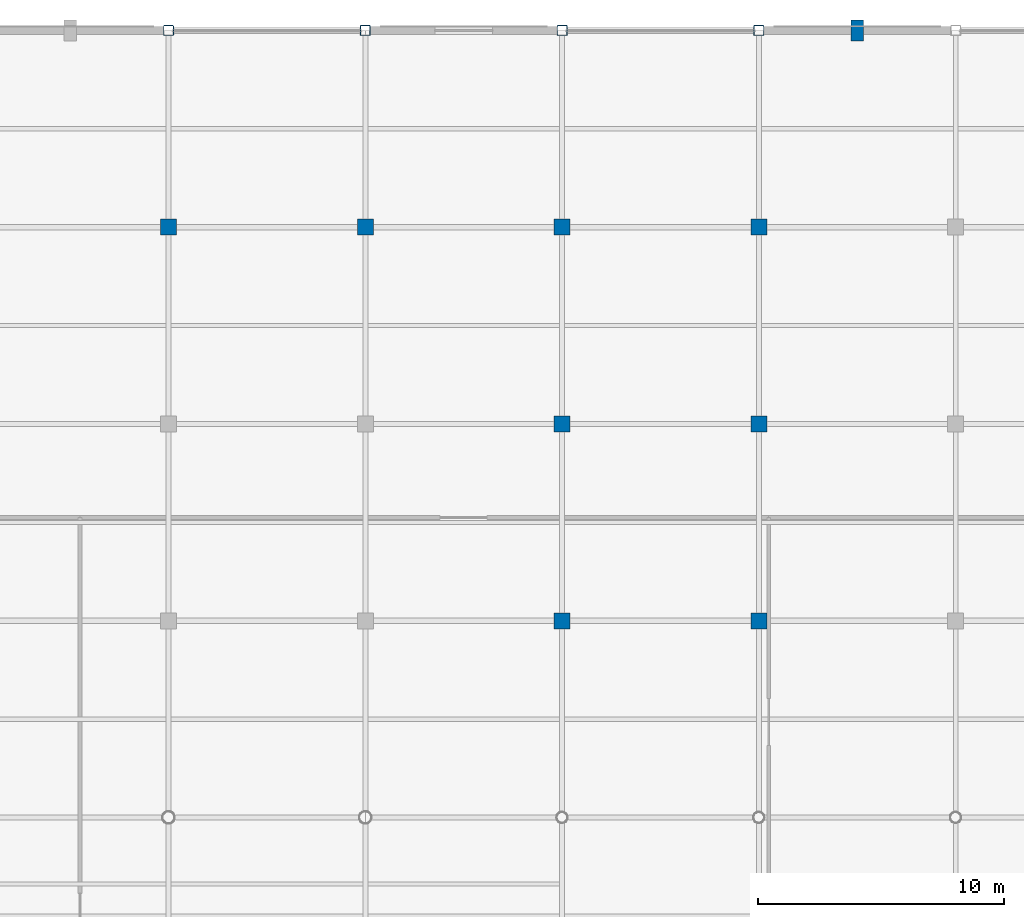
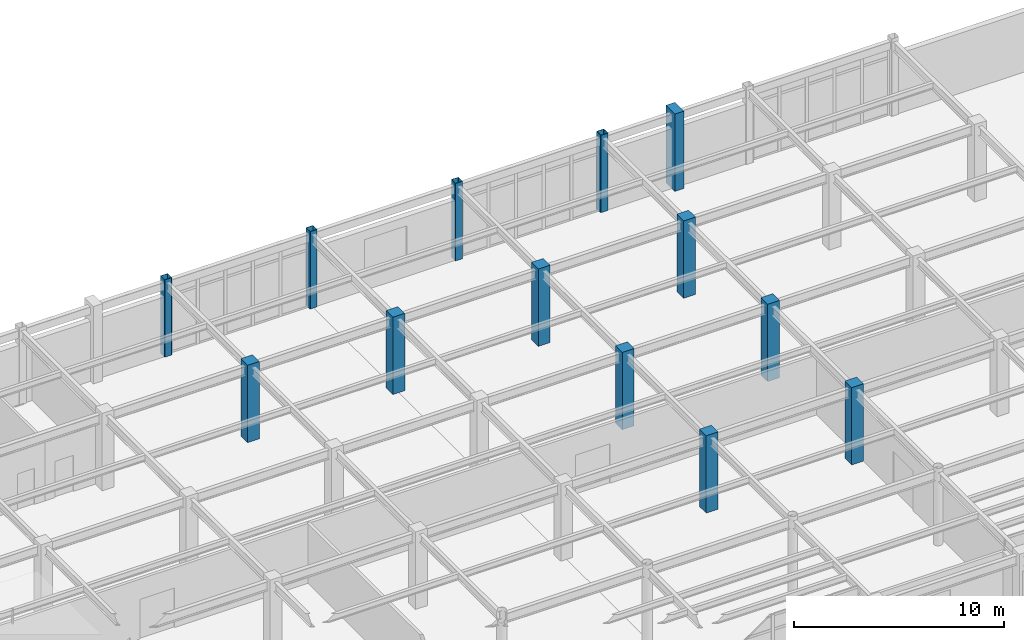
# One storey, part 11 of 111: 13 columns.
"""IFC4 building model written with IfcOpenShell, lengths in metres."""

from ifc_helpers import new_model, si_unit, direction, frame, origin, origin_2d, place, context, subcontext, project, spatial, rectangle, hollow_rectangle, extrude, material, material_profile, profile_set, type_object, element, save


model = new_model("IFC4")

# Units and contexts
model_context = context("Model", 3, precision=1e-05, world=origin(), true_north=direction((0.0, 1.0)))
body_context = subcontext(model_context, "Body", "Model", "MODEL_VIEW")
ifc_project = project(units=[si_unit("LENGTHUNIT", "METRE"), si_unit("AREAUNIT", "SQUARE_METRE"), si_unit("VOLUMEUNIT", "CUBIC_METRE"), si_unit("PLANEANGLEUNIT", "RADIAN"), si_unit("MASSUNIT", "GRAM", prefix="KILO")], contexts=[model_context])

# Site, building, storey
site_placement = place(None, origin())
site = spatial("IfcSite", under=ifc_project, at=site_placement, CompositionType="ELEMENT")
building_placement = place(site_placement, origin())
building = spatial("IfcBuilding", under=site, at=building_placement, Name="Solmirada Galleria", CompositionType="ELEMENT")
storey_placement = place(building_placement, frame((0.0, 0.0, 10.39990234375)))
storey = spatial("IfcBuildingStorey", under=building, at=storey_placement, Name="L02", CompositionType="ELEMENT", Elevation=10.39990234375)

# Columns
ifc_material_1 = material(Name="Steel S355 / ASTM A500 Grade C", Category="steel")
ifc_material_profile_1 = material_profile(ifc_material_1, hollow_rectangle(XDim=0.406005859375, YDim=0.406005859375, WallThickness=0.0146484375, InnerFilletRadius=0.0146484375, OuterFilletRadius=0.029296875, at=origin_2d()), Name="HSS16X16X5/8")
ifc_profile_set_1 = profile_set([ifc_material_profile_1], Name="Steel S355 / ASTM A500 Grade C")
column_type_1 = type_object("IfcColumnType", Name="COL-HSS16", PredefinedType="COLUMN", material=ifc_profile_set_1)
for number, where, z_axis, x_axis, name in (
    (1, (72.0, 120.0, 0.0), (0.0, 0.0, 1.0), (1.0, 0.0, 0.0), "Structural column L02-0341"),
    (2, (80.0, 120.0, 0.0), (0.0, 0.0, 1.0), (1.0, 0.0, 0.0), "Structural column L02-0458"),
    (3, (88.0, 120.0, 0.0), (0.0, 0.0, 1.0), (1.0, 0.0, 0.0), "Structural column L02-0580"),
    (4, (96.0, 120.0, 0.0), (0.0, 0.0, 1.0), (1.0, 0.0, 0.0), "Structural column L02-0688"),
):
    element("IfcColumn", number, at=place(storey_placement, frame(where, z_axis=z_axis, x_axis=x_axis)), inside=storey, type_object=column_type_1, Name=name, PredefinedType="COLUMN", context=body_context, shape_type="SweptSolid", body=[
        extrude(hollow_rectangle(XDim=0.406005859375, YDim=0.406005859375, WallThickness=0.0146484375, InnerFilletRadius=0.0146484375, OuterFilletRadius=0.029296875, at=origin_2d()), origin(), (0.0, 0.0, 1.0), 4.5),
    ])
ifc_material_2 = material(Name="Concrete C40/50", Category="concrete")
ifc_material_profile_2 = material_profile(ifc_material_2, rectangle(XDim=0.64990234375, YDim=0.64990234375, at=origin_2d()), Name="RC650X650")
ifc_profile_set_2 = profile_set([ifc_material_profile_2], Name="Concrete C40/50")
column_type_2 = type_object("IfcColumnType", Name="COL-RC650", PredefinedType="COLUMN", material=ifc_profile_set_2)
for number, where, z_axis, x_axis, name in (
    (5, (72.0, 112.0, 0.0), (0.0, 0.0, 1.0), (1.0, 0.0, 0.0), "Structural column L02-0334"),
    (6, (80.0, 112.0, 0.0), (0.0, 0.0, 1.0), (1.0, 0.0, 0.0), "Structural column L02-0451"),
    (7, (88.0, 96.0, 0.0), (0.0, 0.0, 1.0), (1.0, 0.0, 0.0), "Structural column L02-0559"),
    (8, (88.0, 104.0, 0.0), (0.0, 0.0, 1.0), (1.0, 0.0, 0.0), "Structural column L02-0566"),
    (9, (88.0, 112.0, 0.0), (0.0, 0.0, 1.0), (1.0, 0.0, 0.0), "Structural column L02-0573"),
    (10, (96.0, 96.0, 0.0), (0.0, 0.0, 1.0), (1.0, 0.0, 0.0), "Structural column L02-0667"),
    (11, (96.0, 104.0, 0.0), (0.0, 0.0, 1.0), (1.0, 0.0, 0.0), "Structural column L02-0674"),
    (12, (96.0, 112.0, 0.0), (0.0, 0.0, 1.0), (1.0, 0.0, 0.0), "Structural column L02-0681"),
):
    element("IfcColumn", number, at=place(storey_placement, frame(where, z_axis=z_axis, x_axis=x_axis)), inside=storey, type_object=column_type_2, Name=name, PredefinedType="COLUMN", context=body_context, shape_type="SweptSolid", body=[
        extrude(rectangle(XDim=0.64990234375, YDim=0.64990234375, at=origin_2d()), origin(), (0.0, 0.0, 1.0), 4.5),
    ])
ifc_material_3 = material(Name="Precast concrete C40/50", Category="concrete")
ifc_material_profile_3 = material_profile(ifc_material_3, rectangle(XDim=0.5, YDim=0.85009765625, at=origin_2d()), Name="RC850X500")
ifc_profile_set_3 = profile_set([ifc_material_profile_3], Name="Precast concrete C40/50")
column_type_3 = type_object("IfcColumnType", Name="PIL-RC850", PredefinedType="PILASTER", material=ifc_profile_set_3)
column_placement = place(storey_placement, frame((100.0, 120.0, 0.0), z_axis=(0.0, 0.0, 1.0), x_axis=(1.0, 0.0, 0.0)))
element("IfcColumn", 13, at=column_placement, inside=storey, type_object=column_type_3, Name="Avenue pilaster L02-012", PredefinedType="PILASTER", context=body_context, shape_type="SweptSolid", body=[
    extrude(rectangle(XDim=0.5, YDim=0.85009765625, at=origin_2d()), origin(), (0.0, 0.0, 1.0), 4.5),
])

save(model, "model.ifc")
